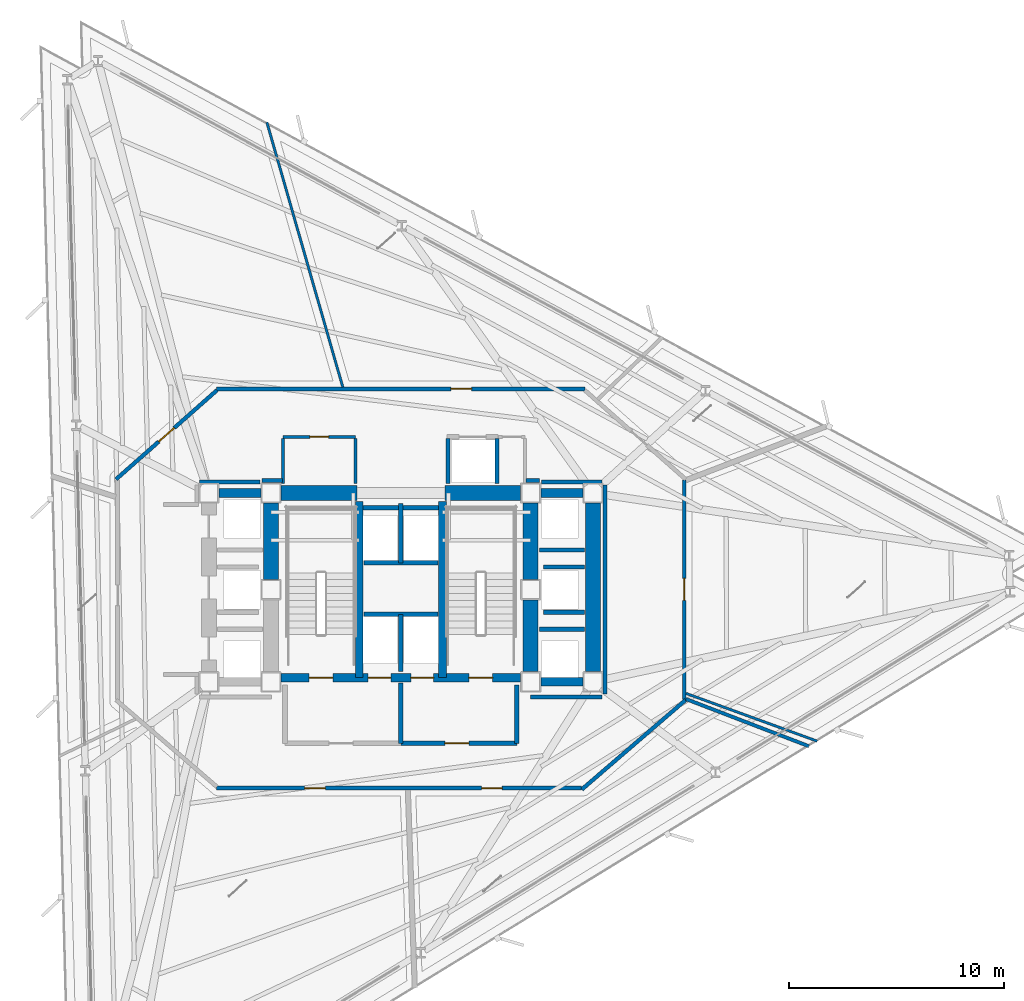
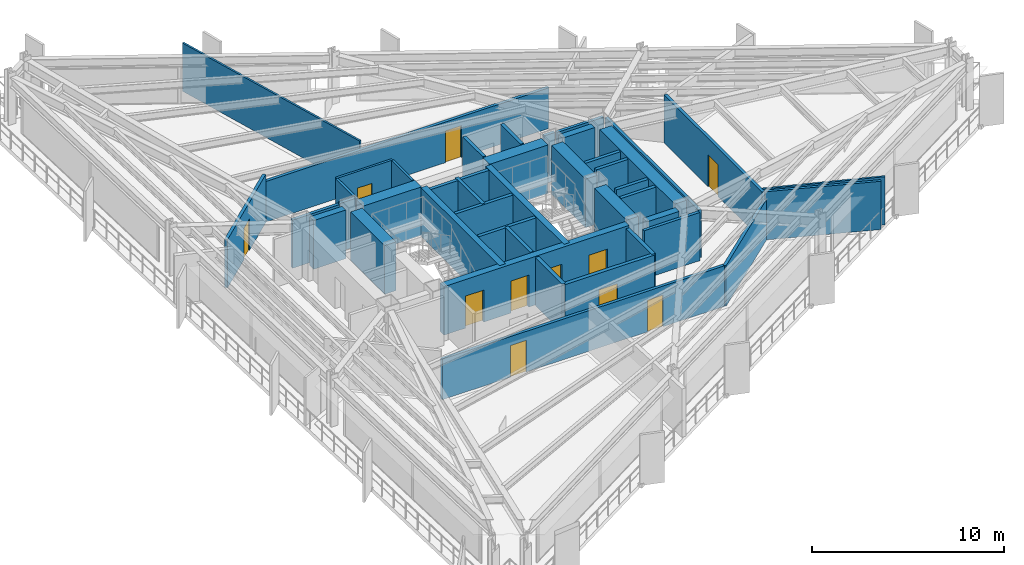
# One storey, part 8 of 14: 43 walls, 11 doors, 11 openings.
"""IFC4 building model written with IfcOpenShell, lengths in metres."""

import ifcopenshell
import ifcopenshell.guid

model = None  # the IFC model being written
_history = None  # IfcOwnerHistory: only IFC2X3 demands one
_inside = {}  # id of a spatial element -> (the spatial element, [elements in it])
_under = {}  # id of a project, library or spatial element -> (it, [spatial elements below it])
_declared = {}  # id of a project -> (the project, [libraries it declares])
_typed = {}  # id of a type object -> (the type object, [elements of that type])
_made_of = {}  # id of a material, layer set ... -> (it, [elements and type objects made of it])


def new_model(schema):
    """Start an empty IFC model of exactly this schema.

    Asked for "IFC4X3", IfcOpenShell would pick the latest addendum, in which some entities
    have other attributes; the version numbers below select the first issue.
    IFC2X3 requires an IfcOwnerHistory on every rooted entity: one is made here for all.
    """
    global model, _history
    if schema == "IFC4X3":
        model = ifcopenshell.file(schema_version=(4, 3, 0, 0))
    else:
        model = ifcopenshell.file(schema=schema)
    _inside.clear()
    _under.clear()
    _declared.clear()
    _typed.clear()
    _made_of.clear()
    _history = None
    if model.schema == "IFC2X3":
        org = make("IfcOrganization", Name="unknown")
        user = make(
            "IfcPersonAndOrganization",
            ThePerson=make("IfcPerson", FamilyName="unknown"),
            TheOrganization=org,
        )
        app = make(
            "IfcApplication",
            ApplicationDeveloper=org,
            Version="unknown",
            ApplicationFullName="unknown",
            ApplicationIdentifier="unknown",
        )
        _history = make(
            "IfcOwnerHistory",
            OwningUser=user,
            OwningApplication=app,
            ChangeAction="ADDED",
            CreationDate=0,
        )
    return model


def make(cls, **values):
    """One entity of the class cls with the attributes given. An attribute that is None is left unset."""
    return model.create_entity(
        cls, **{name: value for name, value in values.items() if value is not None}
    )


def rooted(cls, **values):
    """An entity with a GlobalId (a new one), such as an element, a storey or a relation."""
    return make(cls, GlobalId=ifcopenshell.guid.new(), OwnerHistory=_history, **values)


def si_unit(unit_type, name, prefix=None):
    """IfcSIUnit, for example si_unit("LENGTHUNIT", "METRE", prefix="MILLI")."""
    return make("IfcSIUnit", UnitType=unit_type, Prefix=prefix, Name=name)


def assignment(units):
    """IfcUnitAssignment: the units of a project."""
    return None if units is None else make("IfcUnitAssignment", Units=units)


def point(xyz):
    """IfcCartesianPoint."""
    return None if xyz is None else make("IfcCartesianPoint", Coordinates=xyz)


def direction(xyz):
    """IfcDirection."""
    return None if xyz is None else make("IfcDirection", DirectionRatios=xyz)


def frame(location, z_axis=None, x_axis=None):
    """IfcAxis2Placement3D, a coordinate frame: its origin and axes. An axis left out is left unset."""
    return make(
        "IfcAxis2Placement3D",
        Location=point(location),
        Axis=direction(z_axis),
        RefDirection=direction(x_axis),
    )


def frame_2d(location, x_axis=None):
    """IfcAxis2Placement2D, a coordinate frame in the plane: its origin and x axis."""
    return make(
        "IfcAxis2Placement2D", Location=point(location), RefDirection=direction(x_axis)
    )


def origin():
    """The frame at (0, 0, 0) with its axes left unset."""
    return frame((0.0, 0.0, 0.0))


def place(relative_to, where):
    """IfcLocalPlacement: puts the frame where relative to a parent placement (None: the world)."""
    return make(
        "IfcLocalPlacement", PlacementRelTo=relative_to, RelativePlacement=where
    )


def context(
    kind, dimensions, precision=None, world=None, true_north=None, identifier=None
):
    """IfcGeometricRepresentationContext, for example the 3D "Model" context."""
    return make(
        "IfcGeometricRepresentationContext",
        ContextIdentifier=identifier,
        ContextType=kind,
        CoordinateSpaceDimension=dimensions,
        Precision=precision,
        WorldCoordinateSystem=world,
        TrueNorth=true_north,
    )


def subcontext(parent, identifier, kind, view, scale=None):
    """IfcGeometricRepresentationSubContext, for example "Body" below "Model"."""
    return make(
        "IfcGeometricRepresentationSubContext",
        ContextIdentifier=identifier,
        ContextType=kind,
        ParentContext=parent,
        TargetScale=scale,
        TargetView=view,
    )


def project(units=None, contexts=None):
    """IfcProject with its units and contexts."""
    return rooted(
        "IfcProject",
        Name="project",
        RepresentationContexts=contexts,
        UnitsInContext=assignment(units),
    )


def spatial(cls, under=None, at=None, **own):
    """A site, building, storey or space (cls), placed at a placement, below another one or the project."""
    s = rooted(cls, ObjectPlacement=at, **own)
    if under is not None:
        _under.setdefault(under.id(), (under, []))[1].append(s)
    return s


def profile(cls, at=None, kind="AREA", **sizes):
    """A parametric profile (cls). Its sizes go by their IFC names, for example OverallWidth=200.0."""
    return make(cls, ProfileType=kind, Position=at, **sizes)


def rectangle(**sizes):
    """IfcRectangleProfileDef."""
    return profile("IfcRectangleProfileDef", **sizes)


def extrude(swept, where, along, depth):
    """IfcExtrudedAreaSolid: the profile swept, set in the frame where, extruded along a direction by depth."""
    return make(
        "IfcExtrudedAreaSolid",
        SweptArea=swept,
        Position=where,
        ExtrudedDirection=direction(along),
        Depth=depth,
    )


def shape(context_of_items, identifier, shape_type, items):
    """IfcShapeRepresentation: the items that make up one representation, for example the "Body"."""
    return make(
        "IfcShapeRepresentation",
        ContextOfItems=context_of_items,
        RepresentationIdentifier=identifier,
        RepresentationType=shape_type,
        Items=items,
    )


def material(Name=None, Category=None):
    """IfcMaterial."""
    return make("IfcMaterial", Name=Name, Category=Category)


def layer(
    of_material, thickness, ventilated=None, Name=None, Category=None, Priority=None
):
    """IfcMaterialLayer: one layer of a wall or slab, of a material (None: an air gap)."""
    return make(
        "IfcMaterialLayer",
        Material=of_material,
        LayerThickness=thickness,
        IsVentilated=ventilated,
        Name=Name,
        Category=Category,
        Priority=Priority,
    )


def layer_set(layers, Name=None):
    """IfcMaterialLayerSet."""
    return make("IfcMaterialLayerSet", MaterialLayers=layers, LayerSetName=Name)


def made_of(thing, what):
    """Note that an element or type object is made of a material, layer set ...; save() writes the relation."""
    if what is not None:
        _made_of.setdefault(what.id(), (what, []))[1].append(thing)
    return thing


def type_object(cls, material=None, **own):
    """A type object (cls), such as IfcWallType, which elements share."""
    return made_of(rooted(cls, **own), material)


def element(
    cls,
    number,
    at=None,
    inside=None,
    cuts=None,
    type_object=None,
    material=None,
    context=None,
    identifier="Body",
    shape_type=None,
    held_by="IfcProductDefinitionShape",
    body=None,
    shapes=None,
    **own,
):
    """One element of the class cls, such as IfcWall. Its Tag is "e" and its number.

    at: its placement. inside: the storey or other place that contains it. cuts: it is an
    opening in that element (IfcRelVoidsElement). A single representation is given by context,
    identifier, shape_type and body (its items); several are given by shapes. held_by: the class
    of the entity that holds the representations. save() writes the other relations.
    """
    e = rooted(cls, Tag="e%d" % number, ObjectPlacement=at, **own)
    if body is not None:
        shapes = [shape(context, identifier, shape_type, body)]
    if shapes is not None:
        e.Representation = make(held_by, Representations=shapes)
    if inside is not None:
        _inside.setdefault(inside.id(), (inside, []))[1].append(e)
    if cuts is not None:
        rooted(
            "IfcRelVoidsElement", RelatingBuildingElement=cuts, RelatedOpeningElement=e
        )
    if type_object is not None:
        _typed.setdefault(type_object.id(), (type_object, []))[1].append(e)
    return made_of(e, material)


def fill(opening, filler):
    """IfcRelFillsElement: the door or window that sits in an opening."""
    return rooted(
        "IfcRelFillsElement",
        RelatingOpeningElement=opening,
        RelatedBuildingElement=filler,
    )


def aggregate(whole, parts):
    """IfcRelAggregates: a whole, such as a stair, and the parts it consists of."""
    return rooted("IfcRelAggregates", RelatingObject=whole, RelatedObjects=parts)


def save(model, path):
    """Write the relations noted so far, then the file.

    IfcRelAggregates (storeys below a building ...), IfcRelContainedInSpatialStructure (elements
    in a storey), IfcRelDefinesByType, IfcRelAssociatesMaterial and IfcRelDeclares: one each for
    every whole, place, type object, material and project.
    """
    for whole, parts in _under.values():
        aggregate(whole, parts)
    for where, things in _inside.values():
        rooted(
            "IfcRelContainedInSpatialStructure",
            RelatedElements=things,
            RelatingStructure=where,
        )
    for kind, things in _typed.values():
        rooted("IfcRelDefinesByType", RelatedObjects=things, RelatingType=kind)
    for what, things in _made_of.values():
        rooted("IfcRelAssociatesMaterial", RelatedObjects=things, RelatingMaterial=what)
    for by, libraries in _declared.values():
        rooted("IfcRelDeclares", RelatingContext=by, RelatedDefinitions=libraries)
    model.write(path)


model = new_model("IFC4")

# Units and contexts
model_context = context("Model", 3, precision=1e-05, world=origin(), true_north=direction((0.0, 1.0)))
body_context = subcontext(model_context, "Body", "Model", "MODEL_VIEW")
ifc_project = project(units=[si_unit("LENGTHUNIT", "METRE"), si_unit("AREAUNIT", "SQUARE_METRE"), si_unit("VOLUMEUNIT", "CUBIC_METRE"), si_unit("PLANEANGLEUNIT", "RADIAN"), si_unit("MASSUNIT", "GRAM", prefix="KILO")], contexts=[model_context])

# Site, building, storey
site_placement = place(None, origin())
site = spatial("IfcSite", under=ifc_project, at=site_placement, CompositionType="ELEMENT")
building_placement = place(site_placement, origin())
building = spatial("IfcBuilding", under=site, at=building_placement, Name="Rocaltana Carrier Exchange", CompositionType="ELEMENT")
storey_placement = place(building_placement, frame((0.0, 0.0, 25.60009765625)))
storey = spatial("IfcBuildingStorey", under=building, at=storey_placement, Name="L08", CompositionType="ELEMENT", Elevation=25.60009765625)

# Walls
ifc_material_1 = material(Name="Double Acoustic Gypsum Partition", Category="gypsum")
ifc_layer_1 = layer(ifc_material_1, 0.159912109375)
ifc_layer_set_1 = layer_set([ifc_layer_1], Name="Double Acoustic Gypsum Partition")
wall_type_1 = type_object("IfcWallType", Name="Acoustic Studio Partition 160 EI60", PredefinedType="PARTITIONING", material=ifc_layer_set_1)
wall_1_placement = place(storey_placement, frame((13.280029296875, -5.09765625, 0.0), z_axis=(0.0, 0.0, 1.0), x_axis=(0.933574999212, -0.358382087787, 0.0)))
element("IfcWall", 1, at=wall_1_placement, inside=storey, type_object=wall_type_1, Name="L08 Suite Divider Wall D3", PredefinedType="PARTITIONING", context=body_context, shape_type="SweptSolid", body=[
    extrude(rectangle(XDim=6.13916015625, YDim=0.159912109375, at=frame_2d((3.069580078125, 0.0))), origin(), (0.0, 0.0, 1.0), 3.072998046875),
])
ifc_material_2 = material(Name="Concrete C50/60", Category="concrete")
ifc_layer_2 = layer(ifc_material_2, 0.35009765625)
ifc_layer_set_2 = layer_set([ifc_layer_2], Name="Concrete C50/60")
wall_type_2 = type_object("IfcWallType", Name="Core Internal Shear Wall 350", PredefinedType="SHEAR", material=ifc_layer_set_2)
for number, where, z_axis, x_axis, name in (
    (2, (-1.93994140625, -4.10009765625, 0.0), (0.0, 0.0, 1.0), (0.0, 1.0, 0.0), "L08 Core Shear Wall CW-STW"),
    (3, (1.93994140625, -4.10009765625, 0.0), (0.0, 0.0, 1.0), (0.0, 1.0, 0.0), "L08 Core Shear Wall CW-STE"),
):
    element("IfcWall", number, at=place(storey_placement, frame(where, z_axis=z_axis, x_axis=x_axis)), inside=storey, type_object=wall_type_2, Name=name, PredefinedType="SHEAR", context=body_context, shape_type="SweptSolid", body=[
        extrude(rectangle(XDim=8.2001953125, YDim=0.35009765625, at=frame_2d((4.10009765625, 0.0))), origin(), (0.0, 0.0, 1.0), 3.097900390625),
    ])

# Wall, openings, doors
ifc_material_3 = material(Name="Concrete C50/60", Category="concrete")
ifc_layer_3 = layer(ifc_material_3, 0.39990234375)
ifc_layer_set_3 = layer_set([ifc_layer_3], Name="Concrete C50/60")
wall_type_3 = type_object("IfcWallType", Name="Core Internal Shear Wall 400", PredefinedType="SHEAR", material=ifc_layer_set_3)
wall_2_placement = place(storey_placement, frame((-5.574951171875, -4.10009765625, 0.0), z_axis=(0.0, 0.0, 1.0), x_axis=(1.0, 0.0, 0.0)))
wall_2 = element("IfcWall", 4, at=wall_2_placement, inside=storey, type_object=wall_type_3, Name="L08 Core Shear Wall CW-S", PredefinedType="SHEAR", context=body_context, shape_type="SweptSolid", body=[
    extrude(rectangle(XDim=11.14990234375, YDim=0.39990234375, at=frame_2d((5.574951171875, 0.0))), origin(), (0.0, 0.0, 1.0), 3.097900390625),
])
opening_1_placement = place(wall_2_placement, frame((1.304931640625, 0.0, 0.0)))
opening_1 = element("IfcOpeningElement", 5, at=opening_1_placement, cuts=wall_2, Name="Opening D-ST110", PredefinedType="OPENING", context=body_context, shape_type="SweptSolid", body=[
    extrude(rectangle(XDim=1.10009765625, YDim=2.0400390625, at=frame_2d((0.550048828125, 1.02001953125))), frame((0.0, 0.2099609375, 0.0), z_axis=(0.0, -1.0, 0.0), x_axis=(1.0, 0.0, 0.0)), (0.0, 0.0, 1.0), 0.419921875),
])
opening_2_placement = place(wall_2_placement, frame((8.7451171875, 0.0, 0.0)))
opening_2 = element("IfcOpeningElement", 6, at=opening_2_placement, cuts=wall_2, Name="Opening D-ST110", PredefinedType="OPENING", context=body_context, shape_type="SweptSolid", body=[
    extrude(rectangle(XDim=1.10009765625, YDim=2.0400390625, at=frame_2d((0.550048828125, 1.02001953125))), frame((0.0, 0.2099609375, 0.0), z_axis=(0.0, -1.0, 0.0), x_axis=(1.0, 0.0, 0.0)), (0.0, 0.0, 1.0), 0.419921875),
])
opening_3_placement = place(wall_2_placement, frame((4.044921875, 0.0, 0.0)))
opening_3 = element("IfcOpeningElement", 7, at=opening_3_placement, cuts=wall_2, Name="Opening LD-110", PredefinedType="OPENING", context=body_context, shape_type="SweptSolid", body=[
    extrude(rectangle(XDim=1.06005859375, YDim=2.0400390625, at=frame_2d((0.530029296875, 1.02001953125))), frame((0.0, 0.2099609375, 0.0), z_axis=(0.0, -1.0, 0.0), x_axis=(1.0, 0.0, 0.0)), (0.0, 0.0, 1.0), 0.419921875),
])
opening_4_placement = place(wall_2_placement, frame((6.044921875, 0.0, 0.0)))
opening_4 = element("IfcOpeningElement", 8, at=opening_4_placement, cuts=wall_2, Name="Opening LD-110", PredefinedType="OPENING", context=body_context, shape_type="SweptSolid", body=[
    extrude(rectangle(XDim=1.06005859375, YDim=2.0400390625, at=frame_2d((0.530029296875, 1.02001953125))), frame((0.0, 0.2099609375, 0.0), z_axis=(0.0, -1.0, 0.0), x_axis=(1.0, 0.0, 0.0)), (0.0, 0.0, 1.0), 0.419921875),
])
ifc_material_4 = material(Name="Hollow Metal Fire Door Assembly", Category="steel")
door_type_1 = type_object("IfcDoorType", Name="Exit Stair Fire Door 1100x2040 FD90S", OperationType="NOTDEFINED", PredefinedType="DOOR", material=ifc_material_4)
door_1_placement = place(opening_1_placement, origin())
door_1 = element("IfcDoor", 9, at=door_1_placement, inside=storey, type_object=door_type_1, Name="L08 Exit Stair ST1 Fire Door", OperationType="SINGLE_SWING_LEFT", OverallHeight=2.0400390625, OverallWidth=1.10009765625, PredefinedType="DOOR", context=body_context, shape_type="SweptSolid", body=[
    extrude(rectangle(XDim=1.10009765625, YDim=2.0400390625, at=frame_2d((0.550048828125, 1.02001953125))), frame((0.0, 0.02490234375, 0.0), z_axis=(0.0, -1.0, 0.0), x_axis=(1.0, 0.0, 0.0)), (0.0, 0.0, 1.0), 0.050048828125),
])
fill(opening_1, door_1)
door_2_placement = place(opening_2_placement, origin())
door_2 = element("IfcDoor", 10, at=door_2_placement, inside=storey, type_object=door_type_1, Name="L08 Exit Stair ST2 Fire Door", OperationType="SINGLE_SWING_RIGHT", OverallHeight=2.0400390625, OverallWidth=1.10009765625, PredefinedType="DOOR", context=body_context, shape_type="SweptSolid", body=[
    extrude(rectangle(XDim=1.10009765625, YDim=2.0400390625, at=frame_2d((0.550048828125, 1.02001953125))), frame((0.0, 0.02490234375, 0.0), z_axis=(0.0, -1.0, 0.0), x_axis=(1.0, 0.0, 0.0)), (0.0, 0.0, 1.0), 0.050048828125),
])
fill(opening_2, door_2)
ifc_material_5 = material(Name="Brushed Stainless Sliding Door Leaf", Category="steel")
door_type_2 = type_object("IfcDoorType", Name="Lift Landing Sliding Door 1060x2040", OperationType="NOTDEFINED", PredefinedType="DOOR", material=ifc_material_5)
door_3_placement = place(opening_3_placement, origin())
door_3 = element("IfcDoor", 11, at=door_3_placement, inside=storey, type_object=door_type_2, Name="L08 Firefighting Lift FFL1 Landing Door", OperationType="SLIDING_TO_LEFT", OverallHeight=2.0400390625, OverallWidth=1.06005859375, PredefinedType="DOOR", context=body_context, shape_type="SweptSolid", body=[
    extrude(rectangle(XDim=1.06005859375, YDim=2.0400390625, at=frame_2d((0.530029296875, 1.02001953125))), frame((0.0, 0.02490234375, 0.0), z_axis=(0.0, -1.0, 0.0), x_axis=(1.0, 0.0, 0.0)), (0.0, 0.0, 1.0), 0.050048828125),
])
fill(opening_3, door_3)
door_4_placement = place(opening_4_placement, origin())
door_4 = element("IfcDoor", 12, at=door_4_placement, inside=storey, type_object=door_type_2, Name="L08 Firefighting Lift FFL2 Landing Door", OperationType="SLIDING_TO_RIGHT", OverallHeight=2.0400390625, OverallWidth=1.06005859375, PredefinedType="DOOR", context=body_context, shape_type="SweptSolid", body=[
    extrude(rectangle(XDim=1.06005859375, YDim=2.0400390625, at=frame_2d((0.530029296875, 1.02001953125))), frame((0.0, 0.02490234375, 0.0), z_axis=(0.0, -1.0, 0.0), x_axis=(1.0, 0.0, 0.0)), (0.0, 0.0, 1.0), 0.050048828125),
])
fill(opening_4, door_4)

# Walls
for number, where, z_axis, x_axis, name in (
    (13, (-8.47509765625, 4.5, 0.0), (0.0, 0.0, 1.0), (1.0, 0.0, 0.0), "L08 Core Shear Wall CW-WWN"),
    (14, (6.52490234375, 4.5, 0.0), (0.0, 0.0, 1.0), (1.0, 0.0, 0.0), "L08 Core Shear Wall CW-EWN"),
    (15, (6.52490234375, -4.300048828125, 0.0), (0.0, 0.0, 1.0), (1.0, 0.0, 0.0), "L08 Core Shear Wall CW-EWS"),
):
    element("IfcWall", number, at=place(storey_placement, frame(where, z_axis=z_axis, x_axis=x_axis)), inside=storey, type_object=wall_type_3, Name=name, PredefinedType="SHEAR", context=body_context, shape_type="SweptSolid", body=[
        extrude(rectangle(XDim=1.9501953125, YDim=0.39990234375, at=frame_2d((0.97509765625, 0.0))), origin(), (0.0, 0.0, 1.0), 3.097900390625),
    ])
ifc_material_6 = material(Name="Concrete C60/75", Category="concrete")
ifc_layer_4 = layer(ifc_material_6, 0.699951171875)
ifc_layer_set_4 = layer_set([ifc_layer_4], Name="Concrete C60/75")
wall_type_4 = type_object("IfcWallType", Name="Core Shear Wall 700", PredefinedType="SHEAR", material=ifc_layer_set_4)
for number, where, z_axis, x_axis, name in (
    (16, (-6.050048828125, 0.47509765625, 0.0), (0.0, 0.0, 1.0), (0.0, 1.0, 0.0), "L08 Core Shear Wall CW-WN"),
    (17, (6.050048828125, 0.47509765625, 0.0), (0.0, 0.0, 1.0), (0.0, 1.0, 0.0), "L08 Core Shear Wall CW-EN"),
):
    element("IfcWall", number, at=place(storey_placement, frame(where, z_axis=z_axis, x_axis=x_axis)), inside=storey, type_object=wall_type_4, Name=name, PredefinedType="SHEAR", context=body_context, shape_type="SweptSolid", body=[
        extrude(rectangle(XDim=3.5498046875, YDim=0.699951171875, at=frame_2d((1.77490234375, 0.0))), origin(), (0.0, 0.0, 1.0), 3.097900390625),
    ])
wall_3_placement = place(storey_placement, frame((6.050048828125, -3.824951171875, 0.0), z_axis=(0.0, 0.0, 1.0), x_axis=(0.0, 1.0, 0.0)))
element("IfcWall", 18, at=wall_3_placement, inside=storey, type_object=wall_type_4, Name="L08 Core Shear Wall CW-ES", PredefinedType="SHEAR", context=body_context, shape_type="SweptSolid", body=[
    extrude(rectangle(XDim=3.349853515625, YDim=0.699951171875, at=frame_2d((1.6748046875, 0.0))), origin(), (0.0, 0.0, 1.0), 3.097900390625),
])
for number, where, z_axis, x_axis, name in (
    (19, (-5.574951171875, 4.5, 0.0), (0.0, 0.0, 1.0), (1.0, 0.0, 0.0), "L08 Core Shear Wall CW-N1"),
    (20, (2.050048828125, 4.5, 0.0), (0.0, 0.0, 1.0), (1.0, 0.0, 0.0), "L08 Core Shear Wall CW-N2"),
):
    element("IfcWall", number, at=place(storey_placement, frame(where, z_axis=z_axis, x_axis=x_axis)), inside=storey, type_object=wall_type_4, Name=name, PredefinedType="SHEAR", context=body_context, shape_type="SweptSolid", body=[
        extrude(rectangle(XDim=3.52490234375, YDim=0.699951171875, at=frame_2d((1.762451171875, 0.0))), origin(), (0.0, 0.0, 1.0), 3.097900390625),
    ])
wall_4_placement = place(storey_placement, frame((8.949951171875, -3.824951171875, 0.0), z_axis=(0.0, 0.0, 1.0), x_axis=(0.0, 1.0, 0.0)))
element("IfcWall", 21, at=wall_4_placement, inside=storey, type_object=wall_type_4, Name="L08 Core Shear Wall CW-EW", PredefinedType="SHEAR", context=body_context, shape_type="SweptSolid", body=[
    extrude(rectangle(XDim=7.849853515625, YDim=0.699951171875, at=frame_2d((3.9248046875, 0.0))), origin(), (0.0, 0.0, 1.0), 3.097900390625),
])

# Wall, opening, door
ifc_material_7 = material(Name="Gypsum & Steel Stud Partition", Category="steel")
ifc_layer_5 = layer(ifc_material_7, 0.179931640625)
ifc_layer_set_5 = layer_set([ifc_layer_5], Name="Gypsum & Steel Stud Partition")
wall_type_5 = type_object("IfcWallType", Name="Corridor Fire Partition 180 EI60", PredefinedType="PARTITIONING", material=ifc_layer_set_5)
wall_5_placement = place(storey_placement, frame((-8.590087890625, 9.35009765625, 0.0), z_axis=(0.0, 0.0, 1.0), x_axis=(1.0, 0.0, 0.0)))
wall_5 = element("IfcWall", 22, at=wall_5_placement, inside=storey, type_object=wall_type_5, Name="L08 Corridor Partition 1", PredefinedType="PARTITIONING", context=body_context, shape_type="SweptSolid", body=[
    extrude(rectangle(XDim=17.18017578125, YDim=0.179931640625, at=frame_2d((8.590087890625, 0.0))), origin(), (0.0, 0.0, 1.0), 2.5869140625),
])
opening_5_placement = place(wall_5_placement, frame((10.924072265625, 0.0, 0.0)))
opening_5 = element("IfcOpeningElement", 23, at=opening_5_placement, cuts=wall_5, Name="Opening D-RM098", PredefinedType="OPENING", context=body_context, shape_type="SweptSolid", body=[
    extrude(rectangle(XDim=0.9599609375, YDim=2.02001953125, at=frame_2d((0.47998046875, 1.010009765625))), frame((0.0, 0.099853515625, 0.0), z_axis=(0.0, -1.0, 0.0), x_axis=(1.0, 0.0, 0.0)), (0.0, 0.0, 1.0), 0.199951171875),
])
ifc_material_8 = material(Name="Engineered Hardwood Timber", Category="wood")
door_type_3 = type_object("IfcDoorType", Name="Workspace Single Door 960x2020", OperationType="NOTDEFINED", PredefinedType="DOOR", material=ifc_material_8)
door_5_placement = place(opening_5_placement, origin())
door_5 = element("IfcDoor", 24, at=door_5_placement, inside=storey, type_object=door_type_3, Name="L08 Network Operations Office Entrance Door", OperationType="SINGLE_SWING_RIGHT", OverallHeight=2.02001953125, OverallWidth=0.9599609375, PredefinedType="DOOR", context=body_context, shape_type="SweptSolid", body=[
    extrude(rectangle(XDim=0.9599609375, YDim=2.02001953125, at=frame_2d((0.47998046875, 1.010009765625))), frame((0.0, 0.02490234375, 0.0), z_axis=(0.0, -1.0, 0.0), x_axis=(1.0, 0.0, 0.0)), (0.0, 0.0, 1.0), 0.050048828125),
])
fill(opening_5, door_5)

wall_6_placement = place(storey_placement, frame((13.199951171875, 5.110107421875, 0.0), z_axis=(0.0, 0.0, 1.0), x_axis=(0.0, -1.0, 0.0)))
wall_6 = element("IfcWall", 25, at=wall_6_placement, inside=storey, type_object=wall_type_5, Name="L08 Corridor Partition 3", PredefinedType="PARTITIONING", context=body_context, shape_type="SweptSolid", body=[
    extrude(rectangle(XDim=10.22021484375, YDim=0.179931640625, at=frame_2d((5.110107421875, 0.0))), origin(), (0.0, 0.0, 1.0), 3.072998046875),
])
opening_6_placement = place(wall_6_placement, frame((4.5908203125, 0.0, 0.0)))
opening_6 = element("IfcOpeningElement", 26, at=opening_6_placement, cuts=wall_6, Name="Opening D-LB104", PredefinedType="OPENING", context=body_context, shape_type="SweptSolid", body=[
    extrude(rectangle(XDim=1.02001953125, YDim=2.02001953125, at=frame_2d((0.510009765625, 1.010009765625))), frame((0.0, 0.099853515625, 0.0), z_axis=(0.0, -1.0, 0.0), x_axis=(1.0, 0.0, 0.0)), (0.0, 0.0, 1.0), 0.199951171875),
])
ifc_material_9 = material(Name="Powder-Coated Aluminium 6063-T6", Category="aluminium")
door_type_4 = type_object("IfcDoorType", Name="Laboratory Acoustic Door 1020x2020", OperationType="NOTDEFINED", PredefinedType="DOOR", material=ifc_material_9)
door_6_placement = place(opening_6_placement, origin())
door_6 = element("IfcDoor", 27, at=door_6_placement, inside=storey, type_object=door_type_4, Name="L08 Optical Switching Laboratory Entrance Door", OperationType="SINGLE_SWING_RIGHT", OverallHeight=2.02001953125, OverallWidth=1.02001953125, PredefinedType="DOOR", context=body_context, shape_type="SweptSolid", body=[
    extrude(rectangle(XDim=1.02001953125, YDim=2.02001953125, at=frame_2d((0.510009765625, 1.010009765625))), frame((0.0, 0.02490234375, 0.0), z_axis=(0.0, -1.0, 0.0), x_axis=(1.0, 0.0, 0.0)), (0.0, 0.0, 1.0), 0.050048828125),
])
fill(opening_6, door_6)

# Wall
wall_7_placement = place(storey_placement, frame((13.268310546875, -5.14111328125, 0.0), z_axis=(0.0, 0.0, 1.0), x_axis=(-0.757534501725, -0.65279512766, 0.0)))
element("IfcWall", 28, at=wall_7_placement, inside=storey, type_object=wall_type_5, Name="L08 Corridor Partition 4", PredefinedType="PARTITIONING", context=body_context, shape_type="SweptSolid", body=[
    extrude(rectangle(XDim=6.384521484375, YDim=0.179931640625, at=frame_2d((3.1923828125, 0.0))), origin(), (0.0, 0.0, 1.0), 2.5869140625),
])

# Wall, openings, doors
wall_8_placement = place(storey_placement, frame((8.409912109375, -9.25, 0.0), z_axis=(0.0, 0.0, 1.0), x_axis=(-1.0, 0.0, 0.0)))
wall_8 = element("IfcWall", 29, at=wall_8_placement, inside=storey, type_object=wall_type_5, Name="L08 Corridor Partition 5", PredefinedType="PARTITIONING", context=body_context, shape_type="SweptSolid", body=[
    extrude(rectangle(XDim=17.0, YDim=0.179931640625, at=frame_2d((8.5, 0.0))), origin(), (0.0, 0.0, 1.0), 2.5869140625),
])
opening_7_placement = place(wall_8_placement, frame((11.931884765625, 0.0, 0.0)))
opening_7 = element("IfcOpeningElement", 30, at=opening_7_placement, cuts=wall_8, Name="Opening D-RM098", PredefinedType="OPENING", context=body_context, shape_type="SweptSolid", body=[
    extrude(rectangle(XDim=0.9599609375, YDim=2.02001953125, at=frame_2d((0.47998046875, 1.010009765625))), frame((0.0, 0.099853515625, 0.0), z_axis=(0.0, -1.0, 0.0), x_axis=(1.0, 0.0, 0.0)), (0.0, 0.0, 1.0), 0.199951171875),
])
opening_8_placement = place(wall_8_placement, frame((3.692138671875, 0.0, 0.0)))
opening_8 = element("IfcOpeningElement", 31, at=opening_8_placement, cuts=wall_8, Name="Opening D-RM098", PredefinedType="OPENING", context=body_context, shape_type="SweptSolid", body=[
    extrude(rectangle(XDim=0.9599609375, YDim=2.02001953125, at=frame_2d((0.47998046875, 1.010009765625))), frame((0.0, 0.099853515625, 0.0), z_axis=(0.0, -1.0, 0.0), x_axis=(1.0, 0.0, 0.0)), (0.0, 0.0, 1.0), 0.199951171875),
])
door_7_placement = place(opening_7_placement, origin())
door_7 = element("IfcDoor", 32, at=door_7_placement, inside=storey, type_object=door_type_3, Name="L08 Network Operations Office Entrance Door", OperationType="SINGLE_SWING_RIGHT", OverallHeight=2.02001953125, OverallWidth=0.9599609375, PredefinedType="DOOR", context=body_context, shape_type="SweptSolid", body=[
    extrude(rectangle(XDim=0.9599609375, YDim=2.02001953125, at=frame_2d((0.47998046875, 1.010009765625))), frame((0.0, 0.02490234375, 0.0), z_axis=(0.0, -1.0, 0.0), x_axis=(1.0, 0.0, 0.0)), (0.0, 0.0, 1.0), 0.050048828125),
])
fill(opening_7, door_7)
door_8_placement = place(opening_8_placement, origin())
door_8 = element("IfcDoor", 33, at=door_8_placement, inside=storey, type_object=door_type_3, Name="L08 Cloud Architecture Office Entrance Door", OperationType="SINGLE_SWING_LEFT", OverallHeight=2.02001953125, OverallWidth=0.9599609375, PredefinedType="DOOR", context=body_context, shape_type="SweptSolid", body=[
    extrude(rectangle(XDim=0.9599609375, YDim=2.02001953125, at=frame_2d((0.47998046875, 1.010009765625))), frame((0.0, 0.02490234375, 0.0), z_axis=(0.0, -1.0, 0.0), x_axis=(1.0, 0.0, 0.0)), (0.0, 0.0, 1.0), 0.050048828125),
])
fill(opening_8, door_8)

# Wall, opening, door
wall_9_placement = place(storey_placement, frame((-13.267578125, 5.140380859375, 0.0), z_axis=(0.0, 0.0, 1.0), x_axis=(0.749626463267, 0.66186113768, 0.0)))
wall_9 = element("IfcWall", 34, at=wall_9_placement, inside=storey, type_object=wall_type_5, Name="L08 Corridor Partition 8", PredefinedType="PARTITIONING", context=body_context, shape_type="SweptSolid", body=[
    extrude(rectangle(XDim=6.27001953125, YDim=0.179931640625, at=frame_2d((3.135009765625, 0.0))), origin(), (0.0, 0.0, 1.0), 3.072998046875),
])
opening_9_placement = place(wall_9_placement, frame((2.655029296875, 0.0, 0.0)))
opening_9 = element("IfcOpeningElement", 35, at=opening_9_placement, cuts=wall_9, Name="Opening D-RM098", PredefinedType="OPENING", context=body_context, shape_type="SweptSolid", body=[
    extrude(rectangle(XDim=0.9599609375, YDim=2.02001953125, at=frame_2d((0.47998046875, 1.010009765625))), frame((0.0, 0.099853515625, 0.0), z_axis=(0.0, -1.0, 0.0), x_axis=(1.0, 0.0, 0.0)), (0.0, 0.0, 1.0), 0.199951171875),
])
door_9_placement = place(opening_9_placement, origin())
door_9 = element("IfcDoor", 36, at=door_9_placement, inside=storey, type_object=door_type_3, Name="L08 Quiet Focus Lounge Entrance Door", OperationType="SINGLE_SWING_LEFT", OverallHeight=2.02001953125, OverallWidth=0.9599609375, PredefinedType="DOOR", context=body_context, shape_type="SweptSolid", body=[
    extrude(rectangle(XDim=0.9599609375, YDim=2.02001953125, at=frame_2d((0.47998046875, 1.010009765625))), frame((0.0, 0.02490234375, 0.0), z_axis=(0.0, -1.0, 0.0), x_axis=(1.0, 0.0, 0.0)), (0.0, 0.0, 1.0), 0.050048828125),
])
fill(opening_9, door_9)

# Walls
wall_10_placement = place(storey_placement, frame((6.030029296875, -5.010009765625, 0.0), z_axis=(0.0, 0.0, 1.0), x_axis=(1.0, 0.0, 0.0)))
element("IfcWall", 37, at=wall_10_placement, inside=storey, type_object=wall_type_5, Name="L08 Corridor Partition 16", PredefinedType="PARTITIONING", context=body_context, shape_type="SweptSolid", body=[
    extrude(rectangle(XDim=3.340087890625, YDim=0.179931640625, at=frame_2d((1.669921875, 0.0))), origin(), (0.0, 0.0, 1.0), 3.072998046875),
])
wall_11_placement = place(storey_placement, frame((9.510009765625, -4.8701171875, 0.0), z_axis=(0.0, 0.0, 1.0), x_axis=(0.0, 1.0, 0.0)))
element("IfcWall", 38, at=wall_11_placement, inside=storey, type_object=wall_type_5, Name="L08 Corridor Partition 17", PredefinedType="PARTITIONING", context=body_context, shape_type="SweptSolid", body=[
    extrude(rectangle(XDim=9.740234375, YDim=0.179931640625, at=frame_2d((4.8701171875, 0.0))), origin(), (0.0, 0.0, 1.0), 3.072998046875),
])
wall_12_placement = place(storey_placement, frame((9.3701171875, 5.010009765625, 0.0), z_axis=(0.0, 0.0, 1.0), x_axis=(-1.0, 0.0, 0.0)))
element("IfcWall", 39, at=wall_12_placement, inside=storey, type_object=wall_type_5, Name="L08 Corridor Partition 18", PredefinedType="PARTITIONING", context=body_context, shape_type="SweptSolid", body=[
    extrude(rectangle(XDim=2.807861328125, YDim=0.179931640625, at=frame_2d((1.40380859375, 0.0))), origin(), (0.0, 0.0, 1.0), 3.072998046875),
])
wall_13_placement = place(storey_placement, frame((6.469970703125, 5.080078125, 0.0), z_axis=(0.0, 0.0, 1.0), x_axis=(-1.0, 0.0, 0.0)))
element("IfcWall", 40, at=wall_13_placement, inside=storey, type_object=wall_type_5, Name="L08 Corridor Partition 19", PredefinedType="PARTITIONING", context=body_context, shape_type="SweptSolid", body=[
    extrude(rectangle(XDim=0.64990234375, YDim=0.179931640625, at=frame_2d((0.324951171875, 0.0))), origin(), (0.0, 0.0, 1.0), 3.072998046875),
])
wall_14_placement = place(storey_placement, frame((-5.52001953125, 5.080078125, 0.0), z_axis=(0.0, 0.0, 1.0), x_axis=(-1.0, 0.0, 0.0)))
element("IfcWall", 41, at=wall_14_placement, inside=storey, type_object=wall_type_5, Name="L08 Corridor Partition 22", PredefinedType="PARTITIONING", context=body_context, shape_type="SweptSolid", body=[
    extrude(rectangle(XDim=0.949951171875, YDim=0.179931640625, at=frame_2d((0.47509765625, 0.0))), origin(), (0.0, 0.0, 1.0), 3.072998046875),
])
wall_15_placement = place(storey_placement, frame((-6.562255859375, 5.010009765625, 0.0), z_axis=(0.0, 0.0, 1.0), x_axis=(-1.0, 0.0, 0.0)))
element("IfcWall", 42, at=wall_15_placement, inside=storey, type_object=wall_type_5, Name="L08 Corridor Partition 23", PredefinedType="PARTITIONING", context=body_context, shape_type="SweptSolid", body=[
    extrude(rectangle(XDim=2.807861328125, YDim=0.179931640625, at=frame_2d((1.40380859375, 0.0))), origin(), (0.0, 0.0, 1.0), 3.072998046875),
])
ifc_material_10 = material(Name="Aluminium 6063-T6 & Acoustic Glass", Category="aluminium")
ifc_layer_6 = layer(ifc_material_10, 0.114990234375)
ifc_layer_set_6 = layer_set([ifc_layer_6], Name="Aluminium 6063-T6 & Acoustic Glass")
wall_type_6 = type_object("IfcWallType", Name="Demountable Glazed Lab Partition 115", PredefinedType="MOVABLE", material=ifc_layer_set_6)
wall_16_placement = place(storey_placement, frame((13.280029296875, -4.83349609375, 0.0), z_axis=(0.0, 0.0, 1.0), x_axis=(0.939690475906, -0.342026036278, 0.0)))
element("IfcWall", 43, at=wall_16_placement, inside=storey, type_object=wall_type_6, Name="L08 Suite Divider Wall D4", PredefinedType="MOVABLE", context=body_context, shape_type="SweptSolid", body=[
    extrude(rectangle(XDim=6.51123046875, YDim=0.114990234375, at=frame_2d((3.255615234375, 0.0))), origin(), (0.0, 0.0, 1.0), 3.072998046875),
])
wall_17_placement = place(storey_placement, frame((-2.7041015625, 9.429931640625, 0.0), z_axis=(0.0, 0.0, 1.0), x_axis=(-0.275627518328, 0.961264516738, 0.0)))
element("IfcWall", 44, at=wall_17_placement, inside=storey, type_object=wall_type_6, Name="L08 Suite Divider Wall D7", PredefinedType="MOVABLE", context=body_context, shape_type="SweptSolid", body=[
    extrude(rectangle(XDim=12.8408203125, YDim=0.114990234375, at=frame_2d((6.42041015625, 0.0))), origin(), (0.0, 0.0, 1.0), 3.072998046875),
])
ifc_material_11 = material(Name="Autoclaved Aerated Concrete C30/37", Category="concrete")
ifc_layer_7 = layer(ifc_material_11, 0.219970703125)
ifc_layer_set_7 = layer_set([ifc_layer_7], Name="Autoclaved Aerated Concrete C30/37")
wall_type_7 = type_object("IfcWallType", Name="Firefighting Lobby Wall 220 EI120", PredefinedType="PARTITIONING", material=ifc_layer_set_7)
wall_18_placement = place(storey_placement, frame((5.39990234375, -7.159912109375, 0.0), z_axis=(0.0, 0.0, 1.0), x_axis=(0.0, 1.0, 0.0)))
element("IfcWall", 45, at=wall_18_placement, inside=storey, type_object=wall_type_7, Name="L08 FFL Lobby 2 East Wall", PredefinedType="PARTITIONING", context=body_context, shape_type="SweptSolid", body=[
    extrude(rectangle(XDim=2.7099609375, YDim=0.219970703125, at=frame_2d((1.35498046875, 0.0))), origin(), (0.0, 0.0, 1.0), 3.072998046875),
])
wall_19_placement = place(storey_placement, frame((0.0, -7.159912109375, 0.0), z_axis=(0.0, 0.0, 1.0), x_axis=(0.0, 1.0, 0.0)))
element("IfcWall", 46, at=wall_19_placement, inside=storey, type_object=wall_type_7, Name="L08 FFL Lobby Centre Wall", PredefinedType="PARTITIONING", context=body_context, shape_type="SweptSolid", body=[
    extrude(rectangle(XDim=2.809814453125, YDim=0.219970703125, at=frame_2d((1.40478515625, 0.0))), origin(), (0.0, 0.0, 1.0), 3.072998046875),
])

# Wall, opening, door
wall_20_placement = place(storey_placement, frame((0.0, -7.159912109375, 0.0), z_axis=(0.0, 0.0, 1.0), x_axis=(1.0, 0.0, 0.0)))
wall_20 = element("IfcWall", 47, at=wall_20_placement, inside=storey, type_object=wall_type_7, Name="L08 FFL Lobby 2 South Wall", PredefinedType="PARTITIONING", context=body_context, shape_type="SweptSolid", body=[
    extrude(rectangle(XDim=5.39990234375, YDim=0.219970703125, at=frame_2d((2.699951171875, 0.0))), origin(), (0.0, 0.0, 1.0), 3.072998046875),
])
opening_10_placement = place(wall_20_placement, frame((2.050048828125, 0.0, 0.0)))
opening_10 = element("IfcOpeningElement", 48, at=opening_10_placement, cuts=wall_20, Name="Opening D-FF115", PredefinedType="OPENING", context=body_context, shape_type="SweptSolid", body=[
    extrude(rectangle(XDim=1.1201171875, YDim=2.02001953125, at=frame_2d((0.56005859375, 1.010009765625))), frame((0.0, 0.119873046875, 0.0), z_axis=(0.0, -1.0, 0.0), x_axis=(1.0, 0.0, 0.0)), (0.0, 0.0, 1.0), 0.239990234375),
])
ifc_material_12 = material(Name="Hollow Metal Fire Door Assembly", Category="steel")
door_type_5 = type_object("IfcDoorType", Name="Firefighting Lobby Door 1120x2020 FD60S", OperationType="NOTDEFINED", PredefinedType="DOOR", material=ifc_material_12)
door_10_placement = place(opening_10_placement, origin())
door_10 = element("IfcDoor", 49, at=door_10_placement, inside=storey, type_object=door_type_5, Name="L08 Firefighting Lift Lobby 2 Door", OperationType="SINGLE_SWING_RIGHT", OverallHeight=2.02001953125, OverallWidth=1.1201171875, PredefinedType="DOOR", context=body_context, shape_type="SweptSolid", body=[
    extrude(rectangle(XDim=1.1201171875, YDim=2.02001953125, at=frame_2d((0.56005859375, 1.010009765625))), frame((0.0, 0.02490234375, 0.0), z_axis=(0.0, -1.0, 0.0), x_axis=(1.0, 0.0, 0.0)), (0.0, 0.0, 1.0), 0.050048828125),
])
fill(opening_10, door_10)

# Walls
ifc_material_13 = material(Name="Reinforced Concrete Block C35/45", Category="concrete")
ifc_layer_8 = layer(ifc_material_13, 0.199951171875)
ifc_layer_set_8 = layer_set([ifc_layer_8], Name="Reinforced Concrete Block C35/45")
wall_type_8 = type_object("IfcWallType", Name="Lift Hoistway Enclosure Wall 200 EI120", PredefinedType="PARTITIONING", material=ifc_layer_set_8)
wall_21_placement = place(storey_placement, frame((0.0, -3.820068359375, 0.0), z_axis=(0.0, 0.0, 1.0), x_axis=(0.0, 1.0, 0.0)))
element("IfcWall", 50, at=wall_21_placement, inside=storey, type_object=wall_type_8, Name="L08 FFL Shaft Divider", PredefinedType="PARTITIONING", context=body_context, shape_type="SweptSolid", body=[
    extrude(rectangle(XDim=2.670166015625, YDim=0.199951171875, at=frame_2d((1.3349609375, 0.0))), origin(), (0.0, 0.0, 1.0), 3.072998046875),
])
wall_22_placement = place(storey_placement, frame((-1.719970703125, -1.14990234375, 0.0), z_axis=(0.0, 0.0, 1.0), x_axis=(1.0, 0.0, 0.0)))
element("IfcWall", 51, at=wall_22_placement, inside=storey, type_object=wall_type_8, Name="L08 FFL Shaft Back Wall", PredefinedType="PARTITIONING", context=body_context, shape_type="SweptSolid", body=[
    extrude(rectangle(XDim=3.43994140625, YDim=0.199951171875, at=frame_2d((1.719970703125, 0.0))), origin(), (0.0, 0.0, 1.0), 3.072998046875),
])
wall_23_placement = place(storey_placement, frame((0.0, 1.25, 0.0), z_axis=(0.0, 0.0, 1.0), x_axis=(0.0, 1.0, 0.0)))
element("IfcWall", 52, at=wall_23_placement, inside=storey, type_object=wall_type_8, Name="L08 High-Rise Shaft Divider", PredefinedType="PARTITIONING", context=body_context, shape_type="SweptSolid", body=[
    extrude(rectangle(XDim=2.77001953125, YDim=0.199951171875, at=frame_2d((1.385009765625, 0.0))), origin(), (0.0, 0.0, 1.0), 3.072998046875),
])
wall_24_placement = place(storey_placement, frame((-1.719970703125, 1.25, 0.0), z_axis=(0.0, 0.0, 1.0), x_axis=(1.0, 0.0, 0.0)))
element("IfcWall", 53, at=wall_24_placement, inside=storey, type_object=wall_type_8, Name="L08 High-Rise Shaft Back Wall", PredefinedType="PARTITIONING", context=body_context, shape_type="SweptSolid", body=[
    extrude(rectangle(XDim=3.43994140625, YDim=0.199951171875, at=frame_2d((1.719970703125, 0.0))), origin(), (0.0, 0.0, 1.0), 3.072998046875),
])
wall_25_placement = place(storey_placement, frame((-1.760009765625, 3.820068359375, 0.0), z_axis=(0.0, 0.0, 1.0), x_axis=(1.0, 0.0, 0.0)))
element("IfcWall", 54, at=wall_25_placement, inside=storey, type_object=wall_type_8, Name="L08 High-Rise Lift Front Wall", PredefinedType="PARTITIONING", context=body_context, shape_type="SweptSolid", body=[
    extrude(rectangle(XDim=3.52001953125, YDim=0.199951171875, at=frame_2d((1.760009765625, 0.0))), origin(), (0.0, 0.0, 1.0), 3.072998046875),
])
for number, where, z_axis, x_axis, name in (
    (55, (2.199951171875, 4.949951171875, 0.0), (0.0, 0.0, 1.0), (0.0, 1.0, 0.0), "L08 Goods Lift West Wall"),
    (56, (4.47998046875, 4.949951171875, 0.0), (0.0, 0.0, 1.0), (0.0, 1.0, 0.0), "L08 Goods Lift East Wall"),
    (57, (6.449951171875, -1.85009765625, 0.0), (0.0, 0.0, 1.0), (1.0, 0.0, 0.0), "L08 Mid-Rise Shaft Divider 1"),
    (58, (6.449951171875, 1.85009765625, 0.0), (0.0, 0.0, 1.0), (1.0, 0.0, 0.0), "L08 Mid-Rise Shaft Divider 2"),
):
    element("IfcWall", number, at=place(storey_placement, frame(where, z_axis=z_axis, x_axis=x_axis)), inside=storey, type_object=wall_type_8, Name=name, PredefinedType="PARTITIONING", context=body_context, shape_type="SweptSolid", body=[
        extrude(rectangle(XDim=2.10009765625, YDim=0.199951171875, at=frame_2d((1.050048828125, 0.0))), origin(), (0.0, 0.0, 1.0), 3.072998046875),
    ])
for number, where, z_axis, x_axis, name in (
    (59, (6.639892578125, -1.050048828125, 0.0), (0.0, 0.0, 1.0), (1.0, 0.0, 0.0), "L08 Mid-Rise Center Shaft Wall South"),
    (60, (6.639892578125, 1.050048828125, 0.0), (0.0, 0.0, 1.0), (1.0, 0.0, 0.0), "L08 Mid-Rise Center Shaft Wall North"),
):
    element("IfcWall", number, at=place(storey_placement, frame(where, z_axis=z_axis, x_axis=x_axis)), inside=storey, type_object=wall_type_8, Name=name, PredefinedType="PARTITIONING", context=body_context, shape_type="SweptSolid", body=[
        extrude(rectangle(XDim=1.91015625, YDim=0.199951171875, at=frame_2d((0.955078125, 0.0))), origin(), (0.0, 0.0, 1.0), 3.072998046875),
    ])
ifc_material_14 = material(Name="Moisture-Resistant Masonry C30/37", Category="masonry")
ifc_layer_9 = layer(ifc_material_14, 0.139892578125)
ifc_layer_set_9 = layer_set([ifc_layer_9], Name="Moisture-Resistant Masonry C30/37")
wall_type_9 = type_object("IfcWallType", Name="Wet-Area Sanitary Partition 140", PredefinedType="PARTITIONING", material=ifc_layer_set_9)
for number, where, z_axis, x_axis, name in (
    (61, (-5.47998046875, 4.949951171875, 0.0), (0.0, 0.0, 1.0), (0.0, 1.0, 0.0), "L08 Sanitary West Wall"),
    (62, (-2.1201171875, 4.949951171875, 0.0), (0.0, 0.0, 1.0), (0.0, 1.0, 0.0), "L08 Sanitary East Wall"),
):
    element("IfcWall", number, at=place(storey_placement, frame(where, z_axis=z_axis, x_axis=x_axis)), inside=storey, type_object=wall_type_9, Name=name, PredefinedType="PARTITIONING", context=body_context, shape_type="SweptSolid", body=[
        extrude(rectangle(XDim=2.10009765625, YDim=0.139892578125, at=frame_2d((1.050048828125, 0.0))), origin(), (0.0, 0.0, 1.0), 3.072998046875),
    ])

# Wall, opening, door
wall_26_placement = place(storey_placement, frame((-5.47998046875, 7.1201171875, 0.0), z_axis=(0.0, 0.0, 1.0), x_axis=(1.0, 0.0, 0.0)))
wall_26 = element("IfcWall", 63, at=wall_26_placement, inside=storey, type_object=wall_type_9, Name="L08 Sanitary North Wall", PredefinedType="PARTITIONING", context=body_context, shape_type="SweptSolid", body=[
    extrude(rectangle(XDim=3.35986328125, YDim=0.139892578125, at=frame_2d((1.679931640625, 0.0))), origin(), (0.0, 0.0, 1.0), 3.072998046875),
])
opening_11_placement = place(wall_26_placement, frame((1.239990234375, 0.0, 0.0)))
opening_11 = element("IfcOpeningElement", 64, at=opening_11_placement, cuts=wall_26, Name="Opening D-WC090", PredefinedType="OPENING", context=body_context, shape_type="SweptSolid", body=[
    extrude(rectangle(XDim=0.8798828125, YDim=2.02001953125, at=frame_2d((0.43994140625, 1.010009765625))), frame((0.0, 0.079833984375, 0.0), z_axis=(0.0, -1.0, 0.0), x_axis=(1.0, 0.0, 0.0)), (0.0, 0.0, 1.0), 0.159912109375),
])
ifc_material_15 = material(Name="High-Pressure Laminate Timber", Category="wood")
door_type_6 = type_object("IfcDoorType", Name="Restroom & Accessible WC Door 880x2020", OperationType="NOTDEFINED", PredefinedType="DOOR", material=ifc_material_15)
door_11_placement = place(opening_11_placement, origin())
door_11 = element("IfcDoor", 65, at=door_11_placement, inside=storey, type_object=door_type_6, Name="L08 Accessible Toilet Door", OperationType="SINGLE_SWING_LEFT", OverallHeight=2.02001953125, OverallWidth=0.8798828125, PredefinedType="DOOR", context=body_context, shape_type="SweptSolid", body=[
    extrude(rectangle(XDim=0.8798828125, YDim=2.02001953125, at=frame_2d((0.43994140625, 1.010009765625))), frame((0.0, 0.02490234375, 0.0), z_axis=(0.0, -1.0, 0.0), x_axis=(1.0, 0.0, 0.0)), (0.0, 0.0, 1.0), 0.050048828125),
])
fill(opening_11, door_11)

save(model, "model.ifc")
